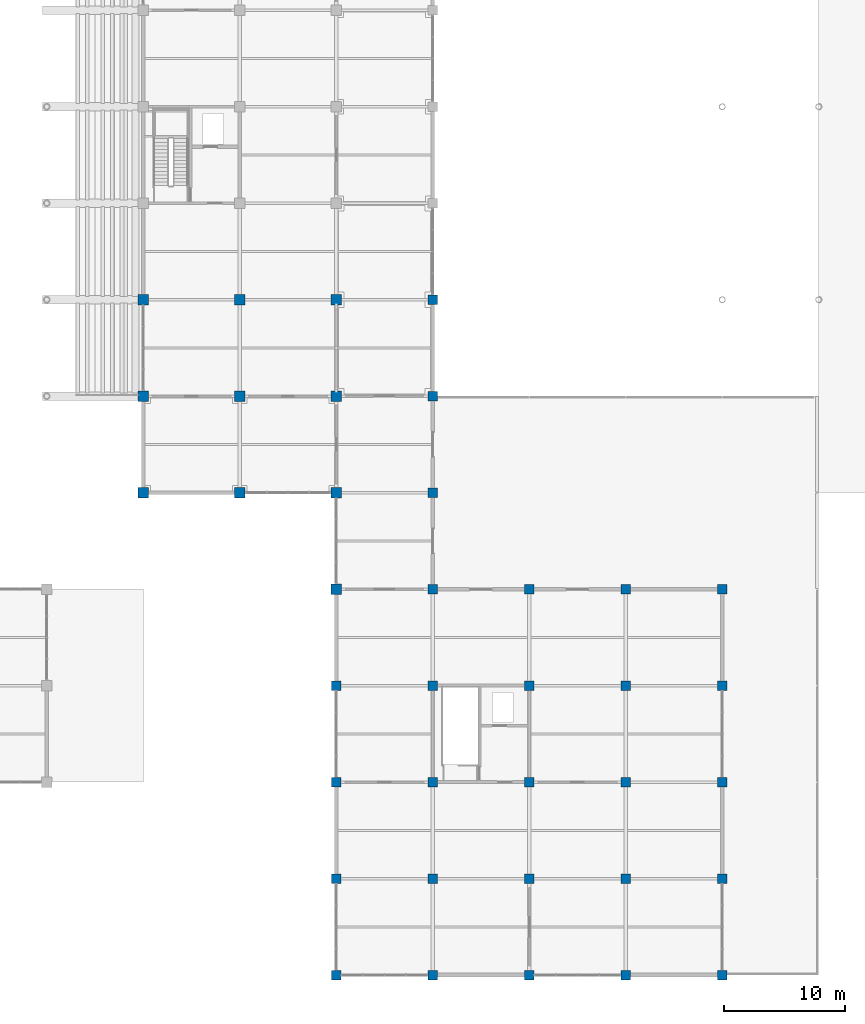
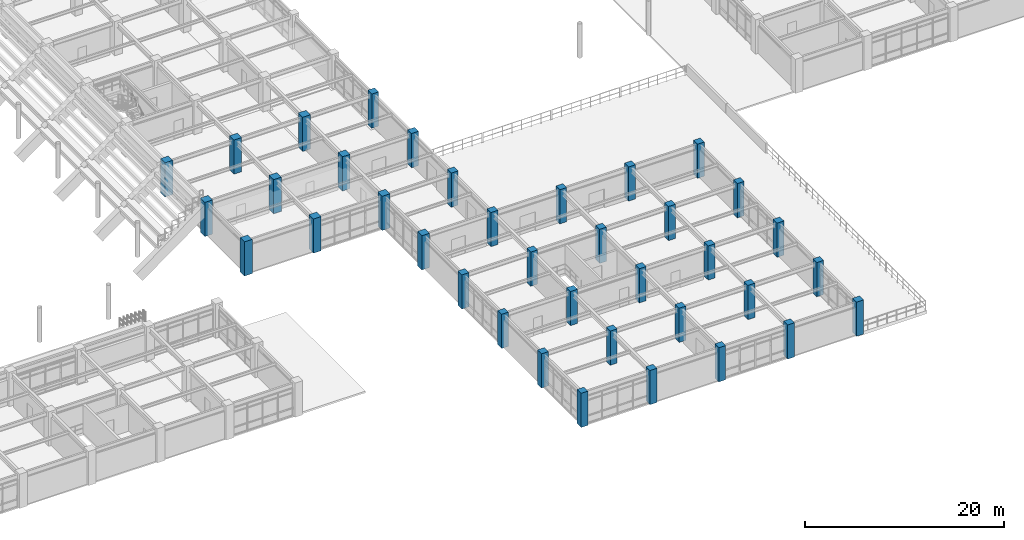
# One storey, part 7 of 118: 37 columns.
"""IFC4 building model written with IfcOpenShell, lengths in metres."""

from ifc_helpers import new_model, si_unit, direction, frame, origin, origin_2d, place, context, subcontext, project, spatial, rectangle, extrude, material, material_profile, profile_set, type_object, element, save


model = new_model("IFC4")

# Units and contexts
model_context = context("Model", 3, precision=1e-05, world=origin(), true_north=direction((0.0, 1.0)))
body_context = subcontext(model_context, "Body", "Model", "MODEL_VIEW")
ifc_project = project(units=[si_unit("LENGTHUNIT", "METRE"), si_unit("AREAUNIT", "SQUARE_METRE"), si_unit("VOLUMEUNIT", "CUBIC_METRE"), si_unit("PLANEANGLEUNIT", "RADIAN"), si_unit("MASSUNIT", "GRAM", prefix="KILO")], contexts=[model_context])

# Site, building, storey
site_placement = place(None, origin())
site = spatial("IfcSite", under=ifc_project, at=site_placement, CompositionType="ELEMENT")
building_placement = place(site_placement, origin())
building = spatial("IfcBuilding", under=site, at=building_placement, Name="Haebicheon Civic Stadium", CompositionType="ELEMENT")
storey_placement = place(building_placement, frame((0.0, 0.0, 14.39990234375)))
storey = spatial("IfcBuildingStorey", under=building, at=storey_placement, Name="L04", CompositionType="ELEMENT", Elevation=14.39990234375)

# Columns
ifc_material_1 = material(Name="Concrete C40/50", Category="concrete")
ifc_material_profile_1 = material_profile(ifc_material_1, rectangle(XDim=0.800048828125, YDim=0.800048828125, at=origin_2d()), Name="RC-COL-800x800")
ifc_profile_set_1 = profile_set([ifc_material_profile_1], Name="Concrete C40/50")
column_type_1 = type_object("IfcColumnType", Name="COL-RC-800", PredefinedType="COLUMN", material=ifc_profile_set_1)
for number, where, z_axis, x_axis, name in (
    (1, (160.0, 0.0, 0.0), (0.0, 0.0, 1.0), (1.0, 0.0, 0.0), "L04 column 21/A"),
    (2, (160.0, 8.0, 0.0), (0.0, 0.0, 1.0), (1.0, 0.0, 0.0), "L04 column 21/B"),
    (3, (160.0, 16.0, 0.0), (0.0, 0.0, 1.0), (1.0, 0.0, 0.0), "L04 column 21/C"),
    (4, (160.0, 24.0, 0.0), (0.0, 0.0, 1.0), (1.0, 0.0, 0.0), "L04 column 21/D"),
    (5, (168.0, 0.0, 0.0), (0.0, 0.0, 1.0), (1.0, 0.0, 0.0), "L04 column 22/A"),
    (6, (168.0, 8.0, 0.0), (0.0, 0.0, 1.0), (1.0, 0.0, 0.0), "L04 column 22/B"),
    (7, (168.0, 16.0, 0.0), (0.0, 0.0, 1.0), (1.0, 0.0, 0.0), "L04 column 22/C"),
    (8, (168.0, 24.0, 0.0), (0.0, 0.0, 1.0), (1.0, 0.0, 0.0), "L04 column 22/D"),
    (9, (168.0, 32.0, 0.0), (0.0, 0.0, 1.0), (1.0, 0.0, 0.0), "L04 column 22/E"),
    (10, (168.0, 40.0, 0.0), (0.0, 0.0, 1.0), (1.0, 0.0, 0.0), "L04 column 22/F"),
    (11, (168.0, 48.0, 0.0), (0.0, 0.0, 1.0), (1.0, 0.0, 0.0), "L04 column 22/G"),
    (12, (168.0, 56.0, 0.0), (0.0, 0.0, 1.0), (1.0, 0.0, 0.0), "L04 column 22/H"),
    (13, (176.0, 0.0, 0.0), (0.0, 0.0, 1.0), (1.0, 0.0, 0.0), "L04 column 23/A"),
    (14, (176.0, 8.0, 0.0), (0.0, 0.0, 1.0), (1.0, 0.0, 0.0), "L04 column 23/B"),
    (15, (176.0, 16.0, 0.0), (0.0, 0.0, 1.0), (1.0, 0.0, 0.0), "L04 column 23/C"),
    (16, (176.0, 24.0, 0.0), (0.0, 0.0, 1.0), (1.0, 0.0, 0.0), "L04 column 23/D"),
    (17, (176.0, 32.0, 0.0), (0.0, 0.0, 1.0), (1.0, 0.0, 0.0), "L04 column 23/E"),
    (18, (184.0, 0.0, 0.0), (0.0, 0.0, 1.0), (1.0, 0.0, 0.0), "L04 column 24/A"),
    (19, (184.0, 8.0, 0.0), (0.0, 0.0, 1.0), (1.0, 0.0, 0.0), "L04 column 24/B"),
    (20, (184.0, 16.0, 0.0), (0.0, 0.0, 1.0), (1.0, 0.0, 0.0), "L04 column 24/C"),
    (21, (184.0, 24.0, 0.0), (0.0, 0.0, 1.0), (1.0, 0.0, 0.0), "L04 column 24/D"),
    (22, (184.0, 32.0, 0.0), (0.0, 0.0, 1.0), (1.0, 0.0, 0.0), "L04 column 24/E"),
    (23, (192.0, 0.0, 0.0), (0.0, 0.0, 1.0), (1.0, 0.0, 0.0), "L04 column 25/A"),
    (24, (192.0, 8.0, 0.0), (0.0, 0.0, 1.0), (1.0, 0.0, 0.0), "L04 column 25/B"),
    (25, (192.0, 16.0, 0.0), (0.0, 0.0, 1.0), (1.0, 0.0, 0.0), "L04 column 25/C"),
    (26, (192.0, 24.0, 0.0), (0.0, 0.0, 1.0), (1.0, 0.0, 0.0), "L04 column 25/D"),
    (27, (192.0, 32.0, 0.0), (0.0, 0.0, 1.0), (1.0, 0.0, 0.0), "L04 column 25/E"),
):
    element("IfcColumn", number, at=place(storey_placement, frame(where, z_axis=z_axis, x_axis=x_axis)), inside=storey, type_object=column_type_1, material=ifc_profile_set_1, Name=name, PredefinedType="COLUMN", context=body_context, shape_type="SweptSolid", body=[
        extrude(rectangle(XDim=0.800048828125, YDim=0.800048828125, at=origin_2d()), origin(), (0.0, 0.0, 1.0), 4.2001953125),
    ])
ifc_material_2 = material(Name="Concrete C40/50", Category="concrete")
ifc_material_profile_2 = material_profile(ifc_material_2, rectangle(XDim=0.89990234375, YDim=0.89990234375, at=origin_2d()), Name="RC-COL-900x900")
ifc_profile_set_2 = profile_set([ifc_material_profile_2], Name="Concrete C40/50")
column_type_2 = type_object("IfcColumnType", Name="COL-RC-900", PredefinedType="COLUMN", material=ifc_profile_set_2)
for number, where, z_axis, x_axis, name in (
    (28, (144.0, 40.0, 0.0), (0.0, 0.0, 1.0), (1.0, 0.0, 0.0), "L04 column 19/F"),
    (29, (144.0, 48.0, 0.0), (0.0, 0.0, 1.0), (1.0, 0.0, 0.0), "L04 column 19/G"),
    (30, (144.0, 56.0, 0.0), (0.0, 0.0, 1.0), (1.0, 0.0, 0.0), "L04 column 19/H"),
    (31, (152.0, 40.0, 0.0), (0.0, 0.0, 1.0), (1.0, 0.0, 0.0), "L04 column 20/F"),
    (32, (152.0, 48.0, 0.0), (0.0, 0.0, 1.0), (1.0, 0.0, 0.0), "L04 column 20/G"),
    (33, (152.0, 56.0, 0.0), (0.0, 0.0, 1.0), (1.0, 0.0, 0.0), "L04 column 20/H"),
    (34, (160.0, 32.0, 0.0), (0.0, 0.0, 1.0), (1.0, 0.0, 0.0), "L04 column 21/E"),
    (35, (160.0, 40.0, 0.0), (0.0, 0.0, 1.0), (1.0, 0.0, 0.0), "L04 column 21/F"),
    (36, (160.0, 48.0, 0.0), (0.0, 0.0, 1.0), (1.0, 0.0, 0.0), "L04 column 21/G"),
    (37, (160.0, 56.0, 0.0), (0.0, 0.0, 1.0), (1.0, 0.0, 0.0), "L04 column 21/H"),
):
    element("IfcColumn", number, at=place(storey_placement, frame(where, z_axis=z_axis, x_axis=x_axis)), inside=storey, type_object=column_type_2, material=ifc_profile_set_2, Name=name, PredefinedType="COLUMN", context=body_context, shape_type="SweptSolid", body=[
        extrude(rectangle(XDim=0.89990234375, YDim=0.89990234375, at=origin_2d()), origin(), (0.0, 0.0, 1.0), 4.2001953125),
    ])

save(model, "model.ifc")
